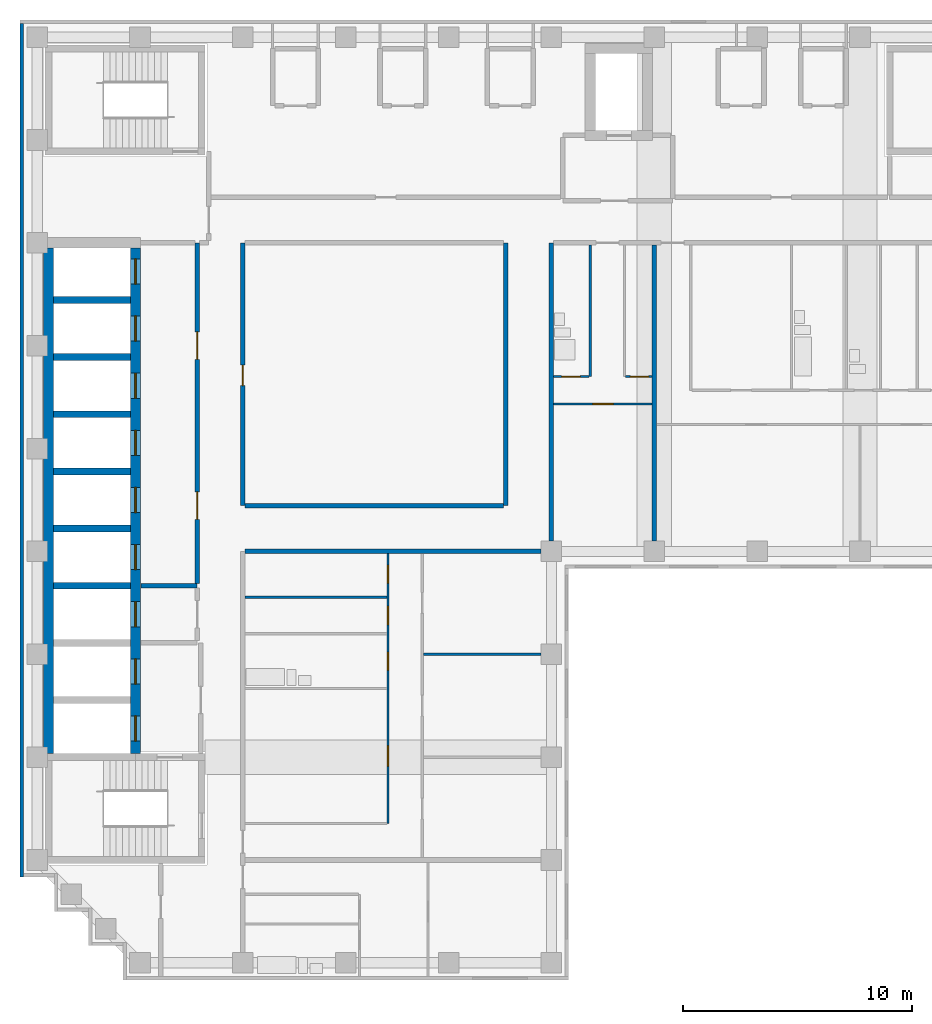
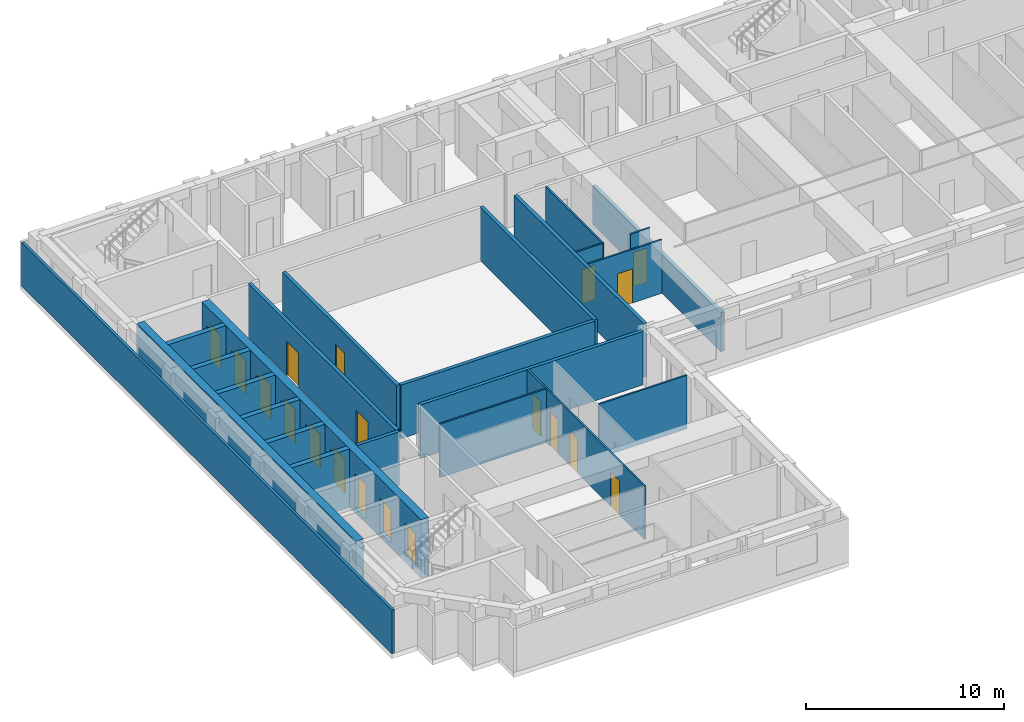
# One storey, part 3 of 9: 24 walls, 19 doors, 19 openings.
"""IFC4 building model written with IfcOpenShell, lengths in metres."""

from ifc_helpers import new_model, si_unit, direction, frame, frame_2d, origin, place, context, subcontext, project, spatial, rectangle, extrude, material, layer, layer_set, type_object, element, fill, save


model = new_model("IFC4")

# Units and contexts
model_context = context("Model", 3, precision=1e-05, world=origin(), true_north=direction((0.0, 1.0)))
body_context = subcontext(model_context, "Body", "Model", "MODEL_VIEW")
ifc_project = project(units=[si_unit("LENGTHUNIT", "METRE"), si_unit("AREAUNIT", "SQUARE_METRE"), si_unit("VOLUMEUNIT", "CUBIC_METRE"), si_unit("PLANEANGLEUNIT", "RADIAN"), si_unit("MASSUNIT", "GRAM", prefix="KILO")], contexts=[model_context])

# Site, building, storey
site_placement = place(None, origin())
site = spatial("IfcSite", under=ifc_project, at=site_placement, CompositionType="ELEMENT")
building_placement = place(site_placement, origin())
building = spatial("IfcBuilding", under=site, at=building_placement, Name="Firuza Court", CompositionType="ELEMENT")
storey_placement = place(building_placement, frame((0.0, 0.0, 218.60009765625)))
storey = spatial("IfcBuildingStorey", under=building, at=storey_placement, Name="L56", CompositionType="ELEMENT", Elevation=218.60009765625)

# Walls
ifc_material_1 = material(Name="Moisture-resistant gypsum board partition")
ifc_layer_1 = layer(ifc_material_1, 0.10009765625)
ifc_layer_set_1 = layer_set([ifc_layer_1], Name="Moisture-resistant gypsum board partition")
wall_type_1 = type_object("IfcWallType", Name="Bathroom partition 100", PredefinedType="PLUMBINGWALL", material=ifc_layer_set_1)
wall_1_placement = place(storey_placement, frame((24.199951171875, 43.64990234375, 0.0), z_axis=(0.0, 0.0, 1.0), x_axis=(0.0, 1.0, 0.0)))
element("IfcWall", 1, at=wall_1_placement, inside=storey, type_object=wall_type_1, Name="Bathroom partition 100 L56", PredefinedType="PLUMBINGWALL", context=body_context, shape_type="SweptSolid", body=[
    extrude(rectangle(XDim=5.75, YDim=0.10009765625, at=frame_2d((2.875, 0.0))), origin(), (0.0, 0.0, 1.0), 3.2998046875),
])
ifc_material_2 = material(Name="Concrete C50/60", Category="concrete")
ifc_layer_2 = layer(ifc_material_2, 0.300048828125)
ifc_layer_set_2 = layer_set([ifc_layer_2], Name="Concrete C50/60")
wall_type_2 = type_object("IfcWallType", Name="Core wall 300 C50/60", PredefinedType="SHEAR", material=ifc_layer_set_2)
for number, where, z_axis, x_axis, name in (
    (2, (0.72509765625, 34.5, -0.300048828125), (0.0, 0.0, 1.0), (1.0, 0.0, 0.0), "Core wall lift shaft L56"),
    (3, (0.72509765625, 37.0, -0.300048828125), (0.0, 0.0, 1.0), (1.0, 0.0, 0.0), "Core wall lift shaft L56"),
    (4, (0.72509765625, 39.5, -0.300048828125), (0.0, 0.0, 1.0), (1.0, 0.0, 0.0), "Core wall lift shaft L56"),
    (5, (0.72509765625, 42.0, -0.300048828125), (0.0, 0.0, 1.0), (1.0, 0.0, 0.0), "Core wall lift shaft L56"),
    (6, (0.72509765625, 44.5, -0.300048828125), (0.0, 0.0, 1.0), (1.0, 0.0, 0.0), "Core wall lift shaft L56"),
    (7, (0.72509765625, 47.0, -0.300048828125), (0.0, 0.0, 1.0), (1.0, 0.0, 0.0), "Core wall lift shaft L56"),
):
    element("IfcWall", number, at=place(storey_placement, frame(where, z_axis=z_axis, x_axis=x_axis)), inside=storey, type_object=wall_type_2, Name=name, PredefinedType="SHEAR", context=body_context, shape_type="SweptSolid", body=[
        extrude(rectangle(XDim=3.349853515625, YDim=0.300048828125, at=frame_2d((1.6748046875, 0.0))), origin(), (0.0, 0.0, 1.0), 3.599853515625),
    ])
ifc_layer_3 = layer(ifc_material_2, 0.449951171875)
ifc_layer_set_3 = layer_set([ifc_layer_3], Name="Concrete C50/60")
wall_type_3 = type_object("IfcWallType", Name="Core wall 450 C50/60", PredefinedType="SHEAR", material=ifc_layer_set_3)
wall_2_placement = place(storey_placement, frame((0.5, 27.14990234375, -0.300048828125), z_axis=(0.0, 0.0, 1.0), x_axis=(0.0, 1.0, 0.0)))
element("IfcWall", 8, at=wall_2_placement, inside=storey, type_object=wall_type_3, Name="Core wall lift shaft L56", PredefinedType="SHEAR", context=body_context, shape_type="SweptSolid", body=[
    extrude(rectangle(XDim=22.125, YDim=0.449951171875, at=frame_2d((11.0625, 0.0))), origin(), (0.0, 0.0, 1.0), 3.599853515625),
])

# Wall, openings, doors
wall_3_placement = place(storey_placement, frame((4.300048828125, 27.14990234375, -0.300048828125), z_axis=(0.0, 0.0, 1.0), x_axis=(0.0, 1.0, 0.0)))
wall_3 = element("IfcWall", 9, at=wall_3_placement, inside=storey, type_object=wall_type_3, Name="Core wall lift shaft L56", PredefinedType="SHEAR", context=body_context, shape_type="SweptSolid", body=[
    extrude(rectangle(XDim=22.125, YDim=0.449951171875, at=frame_2d((11.0625, 0.0))), origin(), (0.0, 0.0, 1.0), 3.599853515625),
])
opening_1_placement = place(wall_3_placement, frame((3.050048828125, 0.0, 0.300048828125)))
opening_1 = element("IfcOpeningElement", 10, at=opening_1_placement, cuts=wall_3, Name="Opening LD-FL1-56", PredefinedType="OPENING", context=body_context, shape_type="SweptSolid", body=[
    extrude(rectangle(XDim=1.10009765625, YDim=2.10009765625, at=frame_2d((0.550048828125, 1.050048828125))), frame((0.0, 0.23681640625, 0.0), z_axis=(0.0, -1.0, 0.0), x_axis=(1.0, 0.0, 0.0)), (0.0, 0.0, 1.0), 0.473876953125),
])
opening_2_placement = place(wall_3_placement, frame((0.550048828125, 0.0, 0.300048828125)))
opening_2 = element("IfcOpeningElement", 11, at=opening_2_placement, cuts=wall_3, Name="Opening LD-FL2-56", PredefinedType="OPENING", context=body_context, shape_type="SweptSolid", body=[
    extrude(rectangle(XDim=1.10009765625, YDim=2.10009765625, at=frame_2d((0.550048828125, 1.050048828125))), frame((0.0, 0.23681640625, 0.0), z_axis=(0.0, -1.0, 0.0), x_axis=(1.0, 0.0, 0.0)), (0.0, 0.0, 1.0), 0.473876953125),
])
opening_3_placement = place(wall_3_placement, frame((20.550048828125, 0.0, 0.300048828125)))
opening_3 = element("IfcOpeningElement", 12, at=opening_3_placement, cuts=wall_3, Name="Opening LD-HB1-56", PredefinedType="OPENING", context=body_context, shape_type="SweptSolid", body=[
    extrude(rectangle(XDim=1.10009765625, YDim=2.10009765625, at=frame_2d((0.550048828125, 1.050048828125))), frame((0.0, 0.23681640625, 0.0), z_axis=(0.0, -1.0, 0.0), x_axis=(1.0, 0.0, 0.0)), (0.0, 0.0, 1.0), 0.473876953125),
])
opening_4_placement = place(wall_3_placement, frame((18.050048828125, 0.0, 0.300048828125)))
opening_4 = element("IfcOpeningElement", 13, at=opening_4_placement, cuts=wall_3, Name="Opening LD-HB2-56", PredefinedType="OPENING", context=body_context, shape_type="SweptSolid", body=[
    extrude(rectangle(XDim=1.10009765625, YDim=2.10009765625, at=frame_2d((0.550048828125, 1.050048828125))), frame((0.0, 0.23681640625, 0.0), z_axis=(0.0, -1.0, 0.0), x_axis=(1.0, 0.0, 0.0)), (0.0, 0.0, 1.0), 0.473876953125),
])
opening_5_placement = place(wall_3_placement, frame((15.550048828125, 0.0, 0.300048828125)))
opening_5 = element("IfcOpeningElement", 14, at=opening_5_placement, cuts=wall_3, Name="Opening LD-HB3-56", PredefinedType="OPENING", context=body_context, shape_type="SweptSolid", body=[
    extrude(rectangle(XDim=1.10009765625, YDim=2.10009765625, at=frame_2d((0.550048828125, 1.050048828125))), frame((0.0, 0.23681640625, 0.0), z_axis=(0.0, -1.0, 0.0), x_axis=(1.0, 0.0, 0.0)), (0.0, 0.0, 1.0), 0.473876953125),
])
opening_6_placement = place(wall_3_placement, frame((13.050048828125, 0.0, 0.300048828125)))
opening_6 = element("IfcOpeningElement", 15, at=opening_6_placement, cuts=wall_3, Name="Opening LD-HB4-56", PredefinedType="OPENING", context=body_context, shape_type="SweptSolid", body=[
    extrude(rectangle(XDim=1.10009765625, YDim=2.10009765625, at=frame_2d((0.550048828125, 1.050048828125))), frame((0.0, 0.23681640625, 0.0), z_axis=(0.0, -1.0, 0.0), x_axis=(1.0, 0.0, 0.0)), (0.0, 0.0, 1.0), 0.473876953125),
])
opening_7_placement = place(wall_3_placement, frame((10.550048828125, 0.0, 0.300048828125)))
opening_7 = element("IfcOpeningElement", 16, at=opening_7_placement, cuts=wall_3, Name="Opening LD-HB5-56", PredefinedType="OPENING", context=body_context, shape_type="SweptSolid", body=[
    extrude(rectangle(XDim=1.10009765625, YDim=2.10009765625, at=frame_2d((0.550048828125, 1.050048828125))), frame((0.0, 0.23681640625, 0.0), z_axis=(0.0, -1.0, 0.0), x_axis=(1.0, 0.0, 0.0)), (0.0, 0.0, 1.0), 0.473876953125),
])
opening_8_placement = place(wall_3_placement, frame((8.050048828125, 0.0, 0.300048828125)))
opening_8 = element("IfcOpeningElement", 17, at=opening_8_placement, cuts=wall_3, Name="Opening LD-HB6-56", PredefinedType="OPENING", context=body_context, shape_type="SweptSolid", body=[
    extrude(rectangle(XDim=1.10009765625, YDim=2.10009765625, at=frame_2d((0.550048828125, 1.050048828125))), frame((0.0, 0.23681640625, 0.0), z_axis=(0.0, -1.0, 0.0), x_axis=(1.0, 0.0, 0.0)), (0.0, 0.0, 1.0), 0.473876953125),
])
opening_9_placement = place(wall_3_placement, frame((5.550048828125, 0.0, 0.300048828125)))
opening_9 = element("IfcOpeningElement", 18, at=opening_9_placement, cuts=wall_3, Name="Opening LD-SL1-56", PredefinedType="OPENING", context=body_context, shape_type="SweptSolid", body=[
    extrude(rectangle(XDim=1.10009765625, YDim=2.10009765625, at=frame_2d((0.550048828125, 1.050048828125))), frame((0.0, 0.23681640625, 0.0), z_axis=(0.0, -1.0, 0.0), x_axis=(1.0, 0.0, 0.0)), (0.0, 0.0, 1.0), 0.473876953125),
])
ifc_material_3 = material(Name="Stainless steel 1.4301 door leaf", Category="steel")
door_type_1 = type_object("IfcDoorType", Name="Lift landing door 1100", OperationType="SLIDING_TO_LEFT", PredefinedType="DOOR", material=ifc_material_3)
door_1_placement = place(opening_1_placement, origin())
door_1 = element("IfcDoor", 19, at=door_1_placement, inside=storey, type_object=door_type_1, Name="Landing door FL1", OperationType="SLIDING_TO_LEFT", OverallHeight=2.10009765625, OverallWidth=1.10009765625, PredefinedType="DOOR", context=body_context, shape_type="SweptSolid", body=[
    extrude(rectangle(XDim=1.10009765625, YDim=2.10009765625, at=frame_2d((0.550048828125, 1.050048828125))), frame((0.0, 0.02490234375, 0.0), z_axis=(0.0, -1.0, 0.0), x_axis=(1.0, 0.0, 0.0)), (0.0, 0.0, 1.0), 0.050048828125),
])
fill(opening_1, door_1)
door_2_placement = place(opening_2_placement, origin())
door_2 = element("IfcDoor", 20, at=door_2_placement, inside=storey, type_object=door_type_1, Name="Landing door FL2", OperationType="SLIDING_TO_LEFT", OverallHeight=2.10009765625, OverallWidth=1.10009765625, PredefinedType="DOOR", context=body_context, shape_type="SweptSolid", body=[
    extrude(rectangle(XDim=1.10009765625, YDim=2.10009765625, at=frame_2d((0.550048828125, 1.050048828125))), frame((0.0, 0.02490234375, 0.0), z_axis=(0.0, -1.0, 0.0), x_axis=(1.0, 0.0, 0.0)), (0.0, 0.0, 1.0), 0.050048828125),
])
fill(opening_2, door_2)
door_3_placement = place(opening_3_placement, origin())
door_3 = element("IfcDoor", 21, at=door_3_placement, inside=storey, type_object=door_type_1, Name="Landing door HB1", OperationType="SLIDING_TO_LEFT", OverallHeight=2.10009765625, OverallWidth=1.10009765625, PredefinedType="DOOR", context=body_context, shape_type="SweptSolid", body=[
    extrude(rectangle(XDim=1.10009765625, YDim=2.10009765625, at=frame_2d((0.550048828125, 1.050048828125))), frame((0.0, 0.02490234375, 0.0), z_axis=(0.0, -1.0, 0.0), x_axis=(1.0, 0.0, 0.0)), (0.0, 0.0, 1.0), 0.050048828125),
])
fill(opening_3, door_3)
door_4_placement = place(opening_4_placement, origin())
door_4 = element("IfcDoor", 22, at=door_4_placement, inside=storey, type_object=door_type_1, Name="Landing door HB2", OperationType="SLIDING_TO_LEFT", OverallHeight=2.10009765625, OverallWidth=1.10009765625, PredefinedType="DOOR", context=body_context, shape_type="SweptSolid", body=[
    extrude(rectangle(XDim=1.10009765625, YDim=2.10009765625, at=frame_2d((0.550048828125, 1.050048828125))), frame((0.0, 0.02490234375, 0.0), z_axis=(0.0, -1.0, 0.0), x_axis=(1.0, 0.0, 0.0)), (0.0, 0.0, 1.0), 0.050048828125),
])
fill(opening_4, door_4)
door_5_placement = place(opening_5_placement, origin())
door_5 = element("IfcDoor", 23, at=door_5_placement, inside=storey, type_object=door_type_1, Name="Landing door HB3", OperationType="SLIDING_TO_LEFT", OverallHeight=2.10009765625, OverallWidth=1.10009765625, PredefinedType="DOOR", context=body_context, shape_type="SweptSolid", body=[
    extrude(rectangle(XDim=1.10009765625, YDim=2.10009765625, at=frame_2d((0.550048828125, 1.050048828125))), frame((0.0, 0.02490234375, 0.0), z_axis=(0.0, -1.0, 0.0), x_axis=(1.0, 0.0, 0.0)), (0.0, 0.0, 1.0), 0.050048828125),
])
fill(opening_5, door_5)
door_6_placement = place(opening_6_placement, origin())
door_6 = element("IfcDoor", 24, at=door_6_placement, inside=storey, type_object=door_type_1, Name="Landing door HB4", OperationType="SLIDING_TO_LEFT", OverallHeight=2.10009765625, OverallWidth=1.10009765625, PredefinedType="DOOR", context=body_context, shape_type="SweptSolid", body=[
    extrude(rectangle(XDim=1.10009765625, YDim=2.10009765625, at=frame_2d((0.550048828125, 1.050048828125))), frame((0.0, 0.02490234375, 0.0), z_axis=(0.0, -1.0, 0.0), x_axis=(1.0, 0.0, 0.0)), (0.0, 0.0, 1.0), 0.050048828125),
])
fill(opening_6, door_6)
door_7_placement = place(opening_7_placement, origin())
door_7 = element("IfcDoor", 25, at=door_7_placement, inside=storey, type_object=door_type_1, Name="Landing door HB5", OperationType="SLIDING_TO_LEFT", OverallHeight=2.10009765625, OverallWidth=1.10009765625, PredefinedType="DOOR", context=body_context, shape_type="SweptSolid", body=[
    extrude(rectangle(XDim=1.10009765625, YDim=2.10009765625, at=frame_2d((0.550048828125, 1.050048828125))), frame((0.0, 0.02490234375, 0.0), z_axis=(0.0, -1.0, 0.0), x_axis=(1.0, 0.0, 0.0)), (0.0, 0.0, 1.0), 0.050048828125),
])
fill(opening_7, door_7)
door_8_placement = place(opening_8_placement, origin())
door_8 = element("IfcDoor", 26, at=door_8_placement, inside=storey, type_object=door_type_1, Name="Landing door HB6", OperationType="SLIDING_TO_LEFT", OverallHeight=2.10009765625, OverallWidth=1.10009765625, PredefinedType="DOOR", context=body_context, shape_type="SweptSolid", body=[
    extrude(rectangle(XDim=1.10009765625, YDim=2.10009765625, at=frame_2d((0.550048828125, 1.050048828125))), frame((0.0, 0.02490234375, 0.0), z_axis=(0.0, -1.0, 0.0), x_axis=(1.0, 0.0, 0.0)), (0.0, 0.0, 1.0), 0.050048828125),
])
fill(opening_8, door_8)
door_9_placement = place(opening_9_placement, origin())
door_9 = element("IfcDoor", 27, at=door_9_placement, inside=storey, type_object=door_type_1, Name="Landing door SL1", OperationType="SLIDING_TO_LEFT", OverallHeight=2.10009765625, OverallWidth=1.10009765625, PredefinedType="DOOR", context=body_context, shape_type="SweptSolid", body=[
    extrude(rectangle(XDim=1.10009765625, YDim=2.10009765625, at=frame_2d((0.550048828125, 1.050048828125))), frame((0.0, 0.02490234375, 0.0), z_axis=(0.0, -1.0, 0.0), x_axis=(1.0, 0.0, 0.0)), (0.0, 0.0, 1.0), 0.050048828125),
])
fill(opening_9, door_9)

# Wall, opening, door
ifc_material_4 = material(Name="Blockwork, plastered both sides", Category="masonry")
ifc_layer_4 = layer(ifc_material_4, 0.199951171875)
ifc_layer_set_4 = layer_set([ifc_layer_4], Name="Blockwork, plastered both sides")
wall_type_4 = type_object("IfcWallType", Name="Corridor wall 200", PredefinedType="PARTITIONING", material=ifc_layer_set_4)
wall_4_placement = place(storey_placement, frame((9.0, 38.0, 0.0), z_axis=(0.0, 0.0, 1.0), x_axis=(0.0, 1.0, 0.0)))
wall_4 = element("IfcWall", 28, at=wall_4_placement, inside=storey, type_object=wall_type_4, Name="Corridor wall 200 L56", PredefinedType="PARTITIONING", context=body_context, shape_type="SweptSolid", body=[
    extrude(rectangle(XDim=11.5, YDim=0.199951171875, at=frame_2d((5.75, 0.0))), origin(), (0.0, 0.0, 1.0), 3.2998046875),
])
opening_10_placement = place(wall_4_placement, frame((5.25, 0.0, 0.0)))
opening_10 = element("IfcOpeningElement", 29, at=opening_10_placement, cuts=wall_4, Name="Opening D56026", PredefinedType="OPENING", context=body_context, shape_type="SweptSolid", body=[
    extrude(rectangle(XDim=0.89990234375, YDim=2.10009765625, at=frame_2d((0.449951171875, 1.050048828125))), frame((0.0, 0.11181640625, 0.0), z_axis=(0.0, -1.0, 0.0), x_axis=(1.0, 0.0, 0.0)), (0.0, 0.0, 1.0), 0.223876953125),
])
ifc_material_5 = material(Name="Timber door leaf in hardwood frame", Category="wood")
door_type_2 = type_object("IfcDoorType", Name="Room door 900 EI 30", OperationType="SINGLE_SWING_LEFT", PredefinedType="DOOR", material=ifc_material_5)
door_10_placement = place(opening_10_placement, frame((0.89990234375, 0.0, 0.0), z_axis=(0.0, 0.0, 1.0), x_axis=(-1.0, 0.0, 0.0)))
door_10 = element("IfcDoor", 30, at=door_10_placement, inside=storey, type_object=door_type_2, Name="Library door", OperationType="SINGLE_SWING_RIGHT", OverallHeight=2.10009765625, OverallWidth=0.89990234375, PredefinedType="DOOR", context=body_context, shape_type="SweptSolid", body=[
    extrude(rectangle(XDim=0.89990234375, YDim=2.10009765625, at=frame_2d((0.449951171875, 1.050048828125))), frame((0.0, 0.02490234375, 0.0), z_axis=(0.0, -1.0, 0.0), x_axis=(1.0, 0.0, 0.0)), (0.0, 0.0, 1.0), 0.050048828125),
])
fill(opening_10, door_10)

# Walls
wall_5_placement = place(storey_placement, frame((9.10009765625, 38.0, 0.0), z_axis=(0.0, 0.0, 1.0), x_axis=(1.0, 0.0, 0.0)))
element("IfcWall", 31, at=wall_5_placement, inside=storey, type_object=wall_type_4, Name="Corridor wall 200 L56", PredefinedType="PARTITIONING", context=body_context, shape_type="SweptSolid", body=[
    extrude(rectangle(XDim=11.2998046875, YDim=0.199951171875, at=frame_2d((5.64990234375, 0.0))), origin(), (0.0, 0.0, 1.0), 3.2998046875),
])
wall_6_placement = place(storey_placement, frame((20.5, 38.0, 0.0), z_axis=(0.0, 0.0, 1.0), x_axis=(0.0, 1.0, 0.0)))
element("IfcWall", 32, at=wall_6_placement, inside=storey, type_object=wall_type_4, Name="Corridor wall 200 L56", PredefinedType="PARTITIONING", context=body_context, shape_type="SweptSolid", body=[
    extrude(rectangle(XDim=11.5, YDim=0.199951171875, at=frame_2d((5.75, 0.0))), origin(), (0.0, 0.0, 1.0), 3.2998046875),
])

# Wall, openings, doors
ifc_material_6 = material(Name="Timber stud partition, plasterboard both sides", Category="wood")
ifc_layer_5 = layer(ifc_material_6, 0.10009765625)
ifc_layer_set_5 = layer_set([ifc_layer_5], Name="Timber stud partition, plasterboard both sides")
wall_type_5 = type_object("IfcWallType", Name="Partition wall 100", PredefinedType="PARTITIONING", material=ifc_layer_set_5)
wall_7_placement = place(storey_placement, frame((15.35009765625, 24.10009765625, 0.0), z_axis=(0.0, 0.0, 1.0), x_axis=(0.0, 1.0, 0.0)))
wall_7 = element("IfcWall", 33, at=wall_7_placement, inside=storey, type_object=wall_type_5, Name="Partition wall 100 L56", PredefinedType="PARTITIONING", context=body_context, shape_type="SweptSolid", body=[
    extrude(rectangle(XDim=11.7998046875, YDim=0.10009765625, at=frame_2d((5.89990234375, 0.0))), origin(), (0.0, 0.0, 1.0), 3.2998046875),
])
opening_11_placement = place(wall_7_placement, frame((6.699951171875, 0.0, 0.0)))
opening_11 = element("IfcOpeningElement", 34, at=opening_11_placement, cuts=wall_7, Name="Opening D56022", PredefinedType="OPENING", context=body_context, shape_type="SweptSolid", body=[
    extrude(rectangle(XDim=0.800048828125, YDim=2.10009765625, at=frame_2d((0.39990234375, 1.050048828125))), frame((0.0, 0.06201171875, 0.0), z_axis=(0.0, -1.0, 0.0), x_axis=(1.0, 0.0, 0.0)), (0.0, 0.0, 1.0), 0.1240234375),
])
opening_12_placement = place(wall_7_placement, frame((2.5, 0.0, 0.0)))
opening_12 = element("IfcOpeningElement", 35, at=opening_12_placement, cuts=wall_7, Name="Opening D56023", PredefinedType="OPENING", context=body_context, shape_type="SweptSolid", body=[
    extrude(rectangle(XDim=0.89990234375, YDim=2.10009765625, at=frame_2d((0.449951171875, 1.050048828125))), frame((0.0, 0.06201171875, 0.0), z_axis=(0.0, -1.0, 0.0), x_axis=(1.0, 0.0, 0.0)), (0.0, 0.0, 1.0), 0.1240234375),
])
opening_13_placement = place(wall_7_placement, frame((8.699951171875, 0.0, 0.0)))
opening_13 = element("IfcOpeningElement", 36, at=opening_13_placement, cuts=wall_7, Name="Opening D56024", PredefinedType="OPENING", context=body_context, shape_type="SweptSolid", body=[
    extrude(rectangle(XDim=0.800048828125, YDim=2.10009765625, at=frame_2d((0.39990234375, 1.050048828125))), frame((0.0, 0.06201171875, 0.0), z_axis=(0.0, -1.0, 0.0), x_axis=(1.0, 0.0, 0.0)), (0.0, 0.0, 1.0), 0.1240234375),
])
opening_14_placement = place(wall_7_placement, frame((10.5, 0.0, 0.0)))
opening_14 = element("IfcOpeningElement", 37, at=opening_14_placement, cuts=wall_7, Name="Opening D56025", PredefinedType="OPENING", context=body_context, shape_type="SweptSolid", body=[
    extrude(rectangle(XDim=0.800048828125, YDim=2.10009765625, at=frame_2d((0.39990234375, 1.050048828125))), frame((0.0, 0.06201171875, 0.0), z_axis=(0.0, -1.0, 0.0), x_axis=(1.0, 0.0, 0.0)), (0.0, 0.0, 1.0), 0.1240234375),
])
ifc_material_7 = material(Name="Timber door leaf in hardwood frame", Category="wood")
door_type_3 = type_object("IfcDoorType", Name="Bathroom door 800", OperationType="SINGLE_SWING_LEFT", PredefinedType="DOOR", material=ifc_material_7)
door_11_placement = place(opening_11_placement, origin())
door_11 = element("IfcDoor", 38, at=door_11_placement, inside=storey, type_object=door_type_3, Name="Bathroom door", OperationType="SINGLE_SWING_LEFT", OverallHeight=2.10009765625, OverallWidth=0.800048828125, PredefinedType="DOOR", context=body_context, shape_type="SweptSolid", body=[
    extrude(rectangle(XDim=0.800048828125, YDim=2.10009765625, at=frame_2d((0.39990234375, 1.050048828125))), frame((0.0, 0.02490234375, 0.0), z_axis=(0.0, -1.0, 0.0), x_axis=(1.0, 0.0, 0.0)), (0.0, 0.0, 1.0), 0.050048828125),
])
fill(opening_11, door_11)
ifc_material_8 = material(Name="Timber door leaf in hardwood frame", Category="wood")
door_type_4 = type_object("IfcDoorType", Name="Room door 800", OperationType="SINGLE_SWING_LEFT", PredefinedType="DOOR", material=ifc_material_8)
door_12_placement = place(opening_13_placement, origin())
door_12 = element("IfcDoor", 39, at=door_12_placement, inside=storey, type_object=door_type_4, Name="Store door", OperationType="SINGLE_SWING_LEFT", OverallHeight=2.10009765625, OverallWidth=0.800048828125, PredefinedType="DOOR", context=body_context, shape_type="SweptSolid", body=[
    extrude(rectangle(XDim=0.800048828125, YDim=2.10009765625, at=frame_2d((0.39990234375, 1.050048828125))), frame((0.0, 0.02490234375, 0.0), z_axis=(0.0, -1.0, 0.0), x_axis=(1.0, 0.0, 0.0)), (0.0, 0.0, 1.0), 0.050048828125),
])
fill(opening_13, door_12)
door_13_placement = place(opening_14_placement, origin())
door_13 = element("IfcDoor", 40, at=door_13_placement, inside=storey, type_object=door_type_4, Name="Utility room door", OperationType="SINGLE_SWING_LEFT", OverallHeight=2.10009765625, OverallWidth=0.800048828125, PredefinedType="DOOR", context=body_context, shape_type="SweptSolid", body=[
    extrude(rectangle(XDim=0.800048828125, YDim=2.10009765625, at=frame_2d((0.39990234375, 1.050048828125))), frame((0.0, 0.02490234375, 0.0), z_axis=(0.0, -1.0, 0.0), x_axis=(1.0, 0.0, 0.0)), (0.0, 0.0, 1.0), 0.050048828125),
])
fill(opening_14, door_13)
ifc_material_9 = material(Name="Timber door leaf in hardwood frame", Category="wood")
door_type_5 = type_object("IfcDoorType", Name="Room door 900", OperationType="SINGLE_SWING_LEFT", PredefinedType="DOOR", material=ifc_material_9)
door_14_placement = place(opening_12_placement, origin())
door_14 = element("IfcDoor", 41, at=door_14_placement, inside=storey, type_object=door_type_5, Name="Kitchen door", OperationType="SINGLE_SWING_LEFT", OverallHeight=2.10009765625, OverallWidth=0.89990234375, PredefinedType="DOOR", context=body_context, shape_type="SweptSolid", body=[
    extrude(rectangle(XDim=0.89990234375, YDim=2.10009765625, at=frame_2d((0.449951171875, 1.050048828125))), frame((0.0, 0.02490234375, 0.0), z_axis=(0.0, -1.0, 0.0), x_axis=(1.0, 0.0, 0.0)), (0.0, 0.0, 1.0), 0.050048828125),
])
fill(opening_12, door_14)

# Walls
wall_8_placement = place(storey_placement, frame((16.89990234375, 31.5, 0.0), z_axis=(0.0, 0.0, 1.0), x_axis=(1.0, 0.0, 0.0)))
element("IfcWall", 42, at=wall_8_placement, inside=storey, type_object=wall_type_5, Name="Partition wall 100 L56", PredefinedType="PARTITIONING", context=body_context, shape_type="SweptSolid", body=[
    extrude(rectangle(XDim=5.150146484375, YDim=0.10009765625, at=frame_2d((2.5751953125, 0.0))), origin(), (0.0, 0.0, 1.0), 3.2998046875),
])
wall_9_placement = place(storey_placement, frame((9.10009765625, 34.0, 0.0), z_axis=(0.0, 0.0, 1.0), x_axis=(1.0, 0.0, 0.0)))
element("IfcWall", 43, at=wall_9_placement, inside=storey, type_object=wall_type_5, Name="Partition wall 100 L56", PredefinedType="PARTITIONING", context=body_context, shape_type="SweptSolid", body=[
    extrude(rectangle(XDim=6.199951171875, YDim=0.10009765625, at=frame_2d((3.10009765625, 0.0))), origin(), (0.0, 0.0, 1.0), 3.2998046875),
])

# Wall, opening, door
wall_10_placement = place(storey_placement, frame((22.60009765625, 42.449951171875, 0.0), z_axis=(0.0, 0.0, 1.0), x_axis=(1.0, 0.0, 0.0)))
wall_10 = element("IfcWall", 44, at=wall_10_placement, inside=storey, type_object=wall_type_5, Name="Partition wall 100 L56", PredefinedType="PARTITIONING", context=body_context, shape_type="SweptSolid", body=[
    extrude(rectangle(XDim=4.2998046875, YDim=0.10009765625, at=frame_2d((2.14990234375, 0.0))), origin(), (0.0, 0.0, 1.0), 3.2998046875),
])
opening_15_placement = place(wall_10_placement, frame((1.699951171875, 0.0, 0.0)))
opening_15 = element("IfcOpeningElement", 45, at=opening_15_placement, cuts=wall_10, Name="Opening D56032", PredefinedType="OPENING", context=body_context, shape_type="SweptSolid", body=[
    extrude(rectangle(XDim=0.89990234375, YDim=2.10009765625, at=frame_2d((0.449951171875, 1.050048828125))), frame((0.0, 0.06201171875, 0.0), z_axis=(0.0, -1.0, 0.0), x_axis=(1.0, 0.0, 0.0)), (0.0, 0.0, 1.0), 0.1240234375),
])
door_15_placement = place(opening_15_placement, frame((0.89990234375, 0.0, 0.0), z_axis=(0.0, 0.0, 1.0), x_axis=(-1.0, 0.0, 0.0)))
door_15 = element("IfcDoor", 46, at=door_15_placement, inside=storey, type_object=door_type_5, Name="Studio room door", OperationType="SINGLE_SWING_RIGHT", OverallHeight=2.10009765625, OverallWidth=0.89990234375, PredefinedType="DOOR", context=body_context, shape_type="SweptSolid", body=[
    extrude(rectangle(XDim=0.89990234375, YDim=2.10009765625, at=frame_2d((0.449951171875, 1.050048828125))), frame((0.0, 0.02490234375, 0.0), z_axis=(0.0, -1.0, 0.0), x_axis=(1.0, 0.0, 0.0)), (0.0, 0.0, 1.0), 0.050048828125),
])
fill(opening_15, door_15)

wall_11_placement = place(storey_placement, frame((22.60009765625, 43.64990234375, 0.0), z_axis=(0.0, 0.0, 1.0), x_axis=(1.0, 0.0, 0.0)))
wall_11 = element("IfcWall", 47, at=wall_11_placement, inside=storey, type_object=wall_type_5, Name="Partition wall 100 L56", PredefinedType="PARTITIONING", context=body_context, shape_type="SweptSolid", body=[
    extrude(rectangle(XDim=1.5498046875, YDim=0.10009765625, at=frame_2d((0.77490234375, 0.0))), origin(), (0.0, 0.0, 1.0), 3.2998046875),
])
opening_16_placement = place(wall_11_placement, frame((0.35009765625, 0.0, 0.0)))
opening_16 = element("IfcOpeningElement", 48, at=opening_16_placement, cuts=wall_11, Name="Opening D56041", PredefinedType="OPENING", context=body_context, shape_type="SweptSolid", body=[
    extrude(rectangle(XDim=0.800048828125, YDim=2.10009765625, at=frame_2d((0.39990234375, 1.050048828125))), frame((0.0, 0.06201171875, 0.0), z_axis=(0.0, -1.0, 0.0), x_axis=(1.0, 0.0, 0.0)), (0.0, 0.0, 1.0), 0.1240234375),
])
door_16_placement = place(opening_16_placement, origin())
door_16 = element("IfcDoor", 49, at=door_16_placement, inside=storey, type_object=door_type_3, Name="Bathroom door", OperationType="SINGLE_SWING_LEFT", OverallHeight=2.10009765625, OverallWidth=0.800048828125, PredefinedType="DOOR", context=body_context, shape_type="SweptSolid", body=[
    extrude(rectangle(XDim=0.800048828125, YDim=2.10009765625, at=frame_2d((0.39990234375, 1.050048828125))), frame((0.0, 0.02490234375, 0.0), z_axis=(0.0, -1.0, 0.0), x_axis=(1.0, 0.0, 0.0)), (0.0, 0.0, 1.0), 0.050048828125),
])
fill(opening_16, door_16)

wall_12_placement = place(storey_placement, frame((25.75, 43.64990234375, 0.0), z_axis=(0.0, 0.0, 1.0), x_axis=(1.0, 0.0, 0.0)))
wall_12 = element("IfcWall", 50, at=wall_12_placement, inside=storey, type_object=wall_type_5, Name="Partition wall 100 L56", PredefinedType="PARTITIONING", context=body_context, shape_type="SweptSolid", body=[
    extrude(rectangle(XDim=1.14990234375, YDim=0.10009765625, at=frame_2d((0.574951171875, 0.0))), origin(), (0.0, 0.0, 1.0), 3.2998046875),
])
opening_17_placement = place(wall_12_placement, frame((0.199951171875, 0.0, 0.0)))
opening_17 = element("IfcOpeningElement", 51, at=opening_17_placement, cuts=wall_12, Name="Opening D56042", PredefinedType="OPENING", context=body_context, shape_type="SweptSolid", body=[
    extrude(rectangle(XDim=0.800048828125, YDim=2.10009765625, at=frame_2d((0.39990234375, 1.050048828125))), frame((0.0, 0.06201171875, 0.0), z_axis=(0.0, -1.0, 0.0), x_axis=(1.0, 0.0, 0.0)), (0.0, 0.0, 1.0), 0.1240234375),
])
door_17_placement = place(opening_17_placement, origin())
door_17 = element("IfcDoor", 52, at=door_17_placement, inside=storey, type_object=door_type_4, Name="Kitchen door", OperationType="SINGLE_SWING_LEFT", OverallHeight=2.10009765625, OverallWidth=0.800048828125, PredefinedType="DOOR", context=body_context, shape_type="SweptSolid", body=[
    extrude(rectangle(XDim=0.800048828125, YDim=2.10009765625, at=frame_2d((0.39990234375, 1.050048828125))), frame((0.0, 0.02490234375, 0.0), z_axis=(0.0, -1.0, 0.0), x_axis=(1.0, 0.0, 0.0)), (0.0, 0.0, 1.0), 0.050048828125),
])
fill(opening_17, door_17)

# Walls
ifc_layer_6 = layer(ifc_material_4, 0.199951171875)
ifc_layer_set_6 = layer_set([ifc_layer_6], Name="Blockwork, plastered both sides")
wall_type_6 = type_object("IfcWallType", Name="Party wall 200", PredefinedType="PARTITIONING", material=ifc_layer_set_6)
wall_13_placement = place(storey_placement, frame((9.10009765625, 36.0, 0.0), z_axis=(0.0, 0.0, 1.0), x_axis=(1.0, 0.0, 0.0)))
element("IfcWall", 53, at=wall_13_placement, inside=storey, type_object=wall_type_6, Name="Party wall 200 L56", PredefinedType="PARTITIONING", context=body_context, shape_type="SweptSolid", body=[
    extrude(rectangle(XDim=12.949951171875, YDim=0.199951171875, at=frame_2d((6.47509765625, 0.0))), origin(), (0.0, 0.0, 1.0), 3.2998046875),
])
wall_14_placement = place(storey_placement, frame((22.5, 36.449951171875, 0.0), z_axis=(0.0, 0.0, 1.0), x_axis=(0.0, 1.0, 0.0)))
element("IfcWall", 54, at=wall_14_placement, inside=storey, type_object=wall_type_6, Name="Party wall 200 L56", PredefinedType="PARTITIONING", context=body_context, shape_type="SweptSolid", body=[
    extrude(rectangle(XDim=13.050048828125, YDim=0.199951171875, at=frame_2d((6.52490234375, 0.0))), origin(), (0.0, 0.0, 1.0), 3.2998046875),
])
wall_15_placement = place(storey_placement, frame((27.0, 36.449951171875, 0.0), z_axis=(0.0, 0.0, 1.0), x_axis=(0.0, 1.0, 0.0)))
element("IfcWall", 55, at=wall_15_placement, inside=storey, type_object=wall_type_6, Name="Party wall 200 L56", PredefinedType="PARTITIONING", context=body_context, shape_type="SweptSolid", body=[
    extrude(rectangle(XDim=12.949951171875, YDim=0.199951171875, at=frame_2d((6.47509765625, 0.0))), origin(), (0.0, 0.0, 1.0), 2.39990234375),
])
ifc_material_10 = material(Name="Ceramic tile", Category="ceramic")
ifc_layer_7 = layer(ifc_material_10, 0.02001953125)
ifc_material_11 = material(Name="Mineral wool insulation", Category="insulation")
ifc_layer_8 = layer(ifc_material_11, 0.050048828125)
ifc_material_12 = material(Name="Concrete C40/50 precast", Category="concrete")
ifc_layer_9 = layer(ifc_material_12, 0.080078125)
ifc_layer_set_7 = layer_set([ifc_layer_7, ifc_layer_8, ifc_layer_9], Name="Concrete C40/50 precast")
wall_type_7 = type_object("IfcWallType", Name="Precast cladding wall with turquoise TILE PANEL face 150", PredefinedType="STANDARD", material=ifc_layer_set_7)
wall_16_placement = place(storey_placement, frame((-0.675048828125, 59.10009765625, 0.0), z_axis=(0.0, 0.0, 1.0), x_axis=(0.0, -1.0, 0.0)))
element("IfcWall", 56, at=wall_16_placement, inside=storey, type_object=wall_type_7, Name="Facade wall L56 W", PredefinedType="STANDARD", context=body_context, shape_type="SweptSolid", body=[
    extrude(rectangle(XDim=37.35009765625, YDim=0.14990234375, at=frame_2d((18.675048828125, 0.0))), origin(), (0.0, 0.0, 1.0), 2.699951171875),
])
ifc_material_13 = material(Name="Blockwork, fire-rated", Category="masonry")
ifc_layer_10 = layer(ifc_material_13, 0.199951171875)
ifc_layer_set_8 = layer_set([ifc_layer_10], Name="Blockwork, fire-rated")
wall_type_8 = type_object("IfcWallType", Name="Shaft wall 200", PredefinedType="PARTITIONING", material=ifc_layer_set_8)
wall_17_placement = place(storey_placement, frame((4.544921875, 34.5, 0.0), z_axis=(0.0, 0.0, 1.0), x_axis=(1.0, 0.0, 0.0)))
element("IfcWall", 57, at=wall_17_placement, inside=storey, type_object=wall_type_8, Name="Shaft wall 200 L56", PredefinedType="PARTITIONING", context=body_context, shape_type="SweptSolid", body=[
    extrude(rectangle(XDim=2.455078125, YDim=0.199951171875, at=frame_2d((1.2275390625, 0.0))), origin(), (0.0, 0.0, 1.0), 3.2998046875),
])

# Wall, openings, doors
wall_18_placement = place(storey_placement, frame((7.0, 34.60009765625, 0.0), z_axis=(0.0, 0.0, 1.0), x_axis=(0.0, 1.0, 0.0)))
wall_18 = element("IfcWall", 58, at=wall_18_placement, inside=storey, type_object=wall_type_8, Name="Shaft wall 200 L56", PredefinedType="PARTITIONING", context=body_context, shape_type="SweptSolid", body=[
    extrude(rectangle(XDim=14.89990234375, YDim=0.199951171875, at=frame_2d((7.449951171875, 0.0))), origin(), (0.0, 0.0, 1.0), 3.2998046875),
])
opening_18_placement = place(wall_18_placement, frame((2.800048828125, 0.0, 0.0)))
opening_18 = element("IfcOpeningElement", 59, at=opening_18_placement, cuts=wall_18, Name="Opening D56004", PredefinedType="OPENING", context=body_context, shape_type="SweptSolid", body=[
    extrude(rectangle(XDim=1.199951171875, YDim=2.10009765625, at=frame_2d((0.60009765625, 1.050048828125))), frame((0.0, 0.11181640625, 0.0), z_axis=(0.0, -1.0, 0.0), x_axis=(1.0, 0.0, 0.0)), (0.0, 0.0, 1.0), 0.223876953125),
])
opening_19_placement = place(wall_18_placement, frame((9.800048828125, 0.0, 0.0)))
opening_19 = element("IfcOpeningElement", 60, at=opening_19_placement, cuts=wall_18, Name="Opening D56005", PredefinedType="OPENING", context=body_context, shape_type="SweptSolid", body=[
    extrude(rectangle(XDim=1.199951171875, YDim=2.10009765625, at=frame_2d((0.60009765625, 1.050048828125))), frame((0.0, 0.11181640625, 0.0), z_axis=(0.0, -1.0, 0.0), x_axis=(1.0, 0.0, 0.0)), (0.0, 0.0, 1.0), 0.223876953125),
])
ifc_material_14 = material(Name="Timber door leaf in hardwood frame", Category="wood")
door_type_6 = type_object("IfcDoorType", Name="Lobby door 1200", OperationType="SINGLE_SWING_LEFT", PredefinedType="DOOR", material=ifc_material_14)
door_18_placement = place(opening_18_placement, origin())
door_18 = element("IfcDoor", 61, at=door_18_placement, inside=storey, type_object=door_type_6, Name="Lobby door", OperationType="SINGLE_SWING_LEFT", OverallHeight=2.10009765625, OverallWidth=1.199951171875, PredefinedType="DOOR", context=body_context, shape_type="SweptSolid", body=[
    extrude(rectangle(XDim=1.199951171875, YDim=2.10009765625, at=frame_2d((0.60009765625, 1.050048828125))), frame((0.0, 0.02490234375, 0.0), z_axis=(0.0, -1.0, 0.0), x_axis=(1.0, 0.0, 0.0)), (0.0, 0.0, 1.0), 0.050048828125),
])
fill(opening_18, door_18)
door_19_placement = place(opening_19_placement, origin())
door_19 = element("IfcDoor", 62, at=door_19_placement, inside=storey, type_object=door_type_6, Name="Lobby door", OperationType="SINGLE_SWING_RIGHT", OverallHeight=2.10009765625, OverallWidth=1.199951171875, PredefinedType="DOOR", context=body_context, shape_type="SweptSolid", body=[
    extrude(rectangle(XDim=1.199951171875, YDim=2.10009765625, at=frame_2d((0.60009765625, 1.050048828125))), frame((0.0, 0.02490234375, 0.0), z_axis=(0.0, -1.0, 0.0), x_axis=(1.0, 0.0, 0.0)), (0.0, 0.0, 1.0), 0.050048828125),
])
fill(opening_19, door_19)

save(model, "model.ifc")
